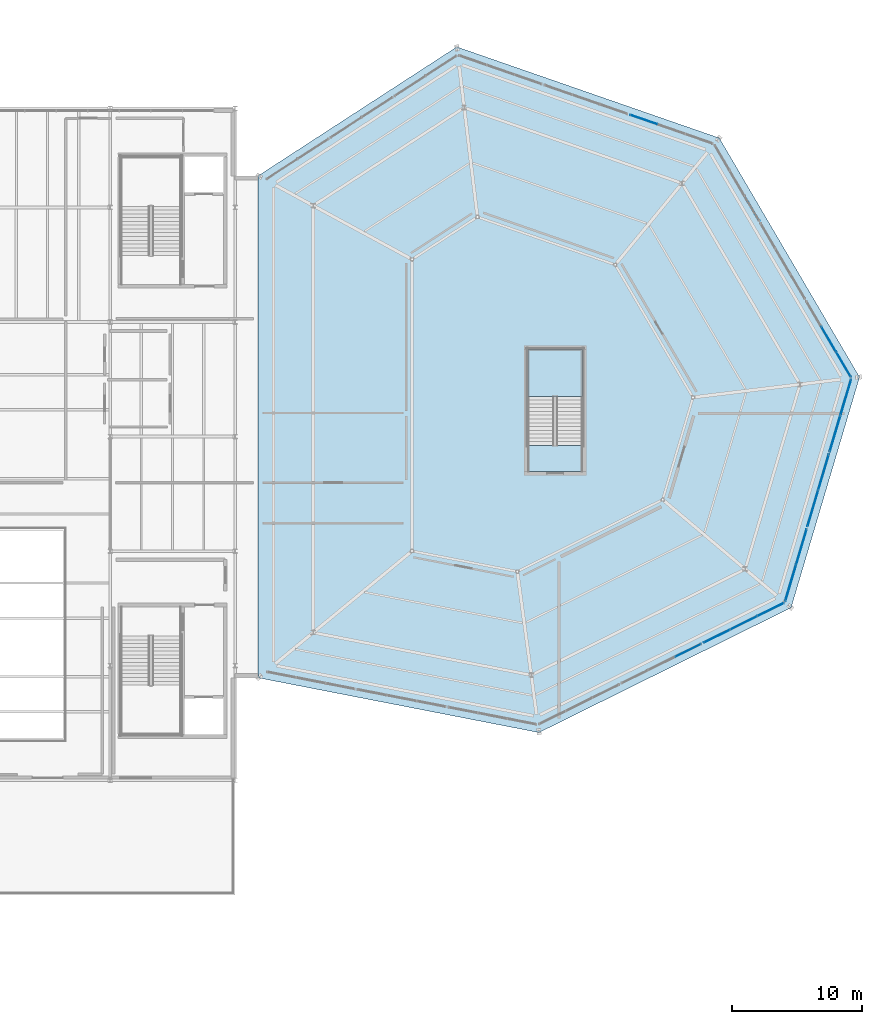
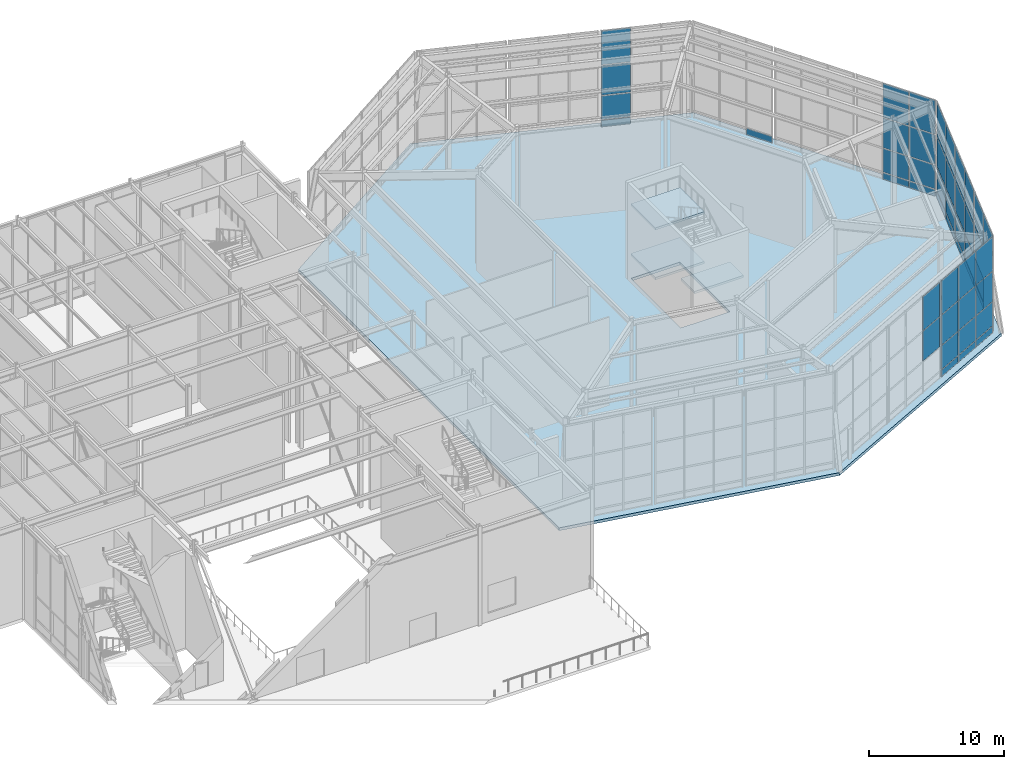
# One storey, part 29 of 48: 51 plates, 4 slabs, 9 elements without a shape of their own.
"""IFC4 building model written with IfcOpenShell, lengths in metres."""

from ifc_helpers import new_model, si_unit, direction, frame, origin, origin_2d, place, context, subcontext, project, spatial, polyline, rectangle, outline, extrude, material, layer, layer_set, type_object, element, aggregate, save


model = new_model("IFC4")

# Units and contexts
model_context = context("Model", 3, precision=1e-05, world=origin(), true_north=direction((0.0, 1.0)))
body_context = subcontext(model_context, "Body", "Model", "MODEL_VIEW")
ifc_project = project(units=[si_unit("LENGTHUNIT", "METRE"), si_unit("AREAUNIT", "SQUARE_METRE"), si_unit("VOLUMEUNIT", "CUBIC_METRE"), si_unit("PLANEANGLEUNIT", "RADIAN"), si_unit("MASSUNIT", "GRAM", prefix="KILO")], contexts=[model_context])

# Site, building, storey
site_placement = place(None, origin())
site = spatial("IfcSite", under=ifc_project, at=site_placement, CompositionType="ELEMENT")
building_placement = place(site_placement, origin())
building = spatial("IfcBuilding", under=site, at=building_placement, Name="Sarnbrook Museum", CompositionType="ELEMENT")
storey_placement = place(building_placement, frame((0.0, 0.0, 19.10009765625)))
storey = spatial("IfcBuildingStorey", under=building, at=storey_placement, Name="L04", CompositionType="ELEMENT", Elevation=19.10009765625)

# Curtain wall, plates
ifc_material_1 = material(Name="Thermally Broken Anodised Aluminium 6063-T6", Category="aluminium")
curtain_wall_type = type_object("IfcCurtainWallType", Name="CurtainWall_CrystalFacet", PredefinedType="NOTDEFINED", material=ifc_material_1)
curtain_wall_1_placement = place(storey_placement, origin())
curtain_wall_1 = element("IfcCurtainWall", 1, at=curtain_wall_1_placement, inside=storey, type_object=curtain_wall_type, Name="Crystal Hall Facet Curtain Wall L04-F2.2", PredefinedType="NOTDEFINED")
ifc_material_2 = material(Name="Double-Glazed Low-Iron Laminated Safety Glass", Category="glass")
ifc_layer_1 = layer(ifc_material_2, 0.031982421875)
ifc_layer_set_1 = layer_set([ifc_layer_1], Name="Double-Glazed Low-Iron Laminated Safety Glass")
plate_type_1 = type_object("IfcPlateType", Name="CW_GlazedPanel_32", PredefinedType="CURTAIN_PANEL", material=ifc_layer_set_1)
plate_1_placement = place(storey_placement, frame((154.009033203125, 66.784423828125, 4.224853515625), z_axis=(0.443729053882, -0.896160993762, 0.0), x_axis=(0.896160993762, 0.443729053882, 0.0)))
plate_1 = element("IfcPlate", 2, at=plate_1_placement, type_object=plate_type_1, Name="Crystal Hall Facet Curtain Wall L04-F2.2 Glazed Panel 3-3", PredefinedType="CURTAIN_PANEL", context=body_context, shape_type="SweptSolid", body=[
    extrude(rectangle(XDim=2.223388671875, YDim=2.679931640625, at=origin_2d()), origin(), (0.0, 0.0, 1.0), 0.031982421875),
])
plate_2_placement = place(storey_placement, frame((154.009033203125, 66.784423828125, 7.169921875), z_axis=(0.443729053882, -0.896160993762, 0.0), x_axis=(0.896160993762, 0.443729053882, 0.0)))
plate_2 = element("IfcPlate", 3, at=plate_2_placement, type_object=plate_type_1, Name="Crystal Hall Facet Curtain Wall L04-F2.2 Glazed Panel 3-4", PredefinedType="CURTAIN_PANEL", context=body_context, shape_type="SweptSolid", body=[
    extrude(rectangle(XDim=2.223388671875, YDim=3.070068359375, at=origin_2d()), origin(), (0.0, 0.0, 1.0), 0.031982421875),
])
aggregate(curtain_wall_1, [plate_1, plate_2])

curtain_wall_2_placement = place(storey_placement, origin())
curtain_wall_2 = element("IfcCurtainWall", 4, at=curtain_wall_2_placement, inside=storey, type_object=curtain_wall_type, Name="Crystal Hall Facet Curtain Wall L04-F2.3", PredefinedType="NOTDEFINED")
plate_3_placement = place(storey_placement, frame((156.212158203125, 67.875244140625, 1.75), z_axis=(0.443729053882, -0.896160993762, 0.0), x_axis=(0.896160993762, 0.443729053882, 0.0)))
plate_3 = element("IfcPlate", 5, at=plate_3_placement, type_object=plate_type_1, Name="Crystal Hall Facet Curtain Wall L04-F2.3 Glazed Panel 1-2", PredefinedType="CURTAIN_PANEL", context=body_context, shape_type="SweptSolid", body=[
    extrude(rectangle(XDim=2.223388671875, YDim=2.1298828125, at=origin_2d()), origin(), (0.0, 0.0, 1.0), 0.031982421875),
])
plate_4_placement = place(storey_placement, frame((156.212158203125, 67.875244140625, 4.224853515625), z_axis=(0.443729053882, -0.896160993762, 0.0), x_axis=(0.896160993762, 0.443729053882, 0.0)))
plate_4 = element("IfcPlate", 6, at=plate_4_placement, type_object=plate_type_1, Name="Crystal Hall Facet Curtain Wall L04-F2.3 Glazed Panel 1-3", PredefinedType="CURTAIN_PANEL", context=body_context, shape_type="SweptSolid", body=[
    extrude(rectangle(XDim=2.223388671875, YDim=2.679931640625, at=origin_2d()), origin(), (0.0, 0.0, 1.0), 0.031982421875),
])
plate_5_placement = place(storey_placement, frame((156.212158203125, 67.875244140625, 7.169921875), z_axis=(0.443729053882, -0.896160993762, 0.0), x_axis=(0.896160993762, 0.443729053882, 0.0)))
plate_5 = element("IfcPlate", 7, at=plate_5_placement, type_object=plate_type_1, Name="Crystal Hall Facet Curtain Wall L04-F2.3 Glazed Panel 1-4", PredefinedType="CURTAIN_PANEL", context=body_context, shape_type="SweptSolid", body=[
    extrude(rectangle(XDim=2.223388671875, YDim=3.070068359375, at=origin_2d()), origin(), (0.0, 0.0, 1.0), 0.031982421875),
])
plate_6_placement = place(storey_placement, frame((158.27197265625, 68.89501953125, 1.75), z_axis=(0.443729053882, -0.896160993762, 0.0), x_axis=(0.896160993762, 0.443729053882, 0.0)))
plate_6 = element("IfcPlate", 8, at=plate_6_placement, type_object=plate_type_1, Name="Crystal Hall Facet Curtain Wall L04-F2.3 Glazed Panel 2-2", PredefinedType="CURTAIN_PANEL", context=body_context, shape_type="SweptSolid", body=[
    extrude(rectangle(XDim=2.223388671875, YDim=2.1298828125, at=origin_2d()), origin(), (0.0, 0.0, 1.0), 0.031982421875),
])
plate_7_placement = place(storey_placement, frame((158.27197265625, 68.89501953125, 4.224853515625), z_axis=(0.443729053882, -0.896160993762, 0.0), x_axis=(0.896160993762, 0.443729053882, 0.0)))
plate_7 = element("IfcPlate", 9, at=plate_7_placement, type_object=plate_type_1, Name="Crystal Hall Facet Curtain Wall L04-F2.3 Glazed Panel 2-3", PredefinedType="CURTAIN_PANEL", context=body_context, shape_type="SweptSolid", body=[
    extrude(rectangle(XDim=2.223388671875, YDim=2.679931640625, at=origin_2d()), origin(), (0.0, 0.0, 1.0), 0.031982421875),
])
plate_8_placement = place(storey_placement, frame((158.27197265625, 68.89501953125, 7.169921875), z_axis=(0.443729053882, -0.896160993762, 0.0), x_axis=(0.896160993762, 0.443729053882, 0.0)))
plate_8 = element("IfcPlate", 10, at=plate_8_placement, type_object=plate_type_1, Name="Crystal Hall Facet Curtain Wall L04-F2.3 Glazed Panel 2-4", PredefinedType="CURTAIN_PANEL", context=body_context, shape_type="SweptSolid", body=[
    extrude(rectangle(XDim=2.223388671875, YDim=3.070068359375, at=origin_2d()), origin(), (0.0, 0.0, 1.0), 0.031982421875),
])
plate_9_placement = place(storey_placement, frame((160.33154296875, 69.914794921875, 1.75), z_axis=(0.443729053882, -0.896160993762, 0.0), x_axis=(0.896160993762, 0.443729053882, 0.0)))
plate_9 = element("IfcPlate", 11, at=plate_9_placement, type_object=plate_type_1, Name="Crystal Hall Facet Curtain Wall L04-F2.3 Glazed Panel 3-2", PredefinedType="CURTAIN_PANEL", context=body_context, shape_type="SweptSolid", body=[
    extrude(rectangle(XDim=2.223388671875, YDim=2.1298828125, at=origin_2d()), origin(), (0.0, 0.0, 1.0), 0.031982421875),
])
plate_10_placement = place(storey_placement, frame((160.33154296875, 69.914794921875, 4.224853515625), z_axis=(0.443729053882, -0.896160993762, 0.0), x_axis=(0.896160993762, 0.443729053882, 0.0)))
plate_10 = element("IfcPlate", 12, at=plate_10_placement, type_object=plate_type_1, Name="Crystal Hall Facet Curtain Wall L04-F2.3 Glazed Panel 3-3", PredefinedType="CURTAIN_PANEL", context=body_context, shape_type="SweptSolid", body=[
    extrude(rectangle(XDim=2.223388671875, YDim=2.679931640625, at=origin_2d()), origin(), (0.0, 0.0, 1.0), 0.031982421875),
])
plate_11_placement = place(storey_placement, frame((160.33154296875, 69.914794921875, 7.169921875), z_axis=(0.443729053882, -0.896160993762, 0.0), x_axis=(0.896160993762, 0.443729053882, 0.0)))
plate_11 = element("IfcPlate", 13, at=plate_11_placement, type_object=plate_type_1, Name="Crystal Hall Facet Curtain Wall L04-F2.3 Glazed Panel 3-4", PredefinedType="CURTAIN_PANEL", context=body_context, shape_type="SweptSolid", body=[
    extrude(rectangle(XDim=2.223388671875, YDim=3.070068359375, at=origin_2d()), origin(), (0.0, 0.0, 1.0), 0.031982421875),
])

curtain_wall_3_placement = place(storey_placement, origin())
curtain_wall_3 = element("IfcCurtainWall", 14, at=curtain_wall_3_placement, inside=storey, type_object=curtain_wall_type, Name="Crystal Hall Facet Curtain Wall L04-F3.1", PredefinedType="NOTDEFINED")
plate_12_placement = place(storey_placement, frame((161.86669921875, 71.93017578125, 1.75), z_axis=(0.958647221782, -0.284597090935, 0.0), x_axis=(0.284597090935, 0.958647221782, 0.0)))
plate_12 = element("IfcPlate", 15, at=plate_12_placement, type_object=plate_type_1, Name="Crystal Hall Facet Curtain Wall L04-F3.1 Glazed Panel 1-2", PredefinedType="CURTAIN_PANEL", context=body_context, shape_type="SweptSolid", body=[
    extrude(rectangle(XDim=2.841796875, YDim=2.1298828125, at=origin_2d()), origin(), (0.0, 0.0, 1.0), 0.031982421875),
])
plate_13_placement = place(storey_placement, frame((161.86669921875, 71.93017578125, 4.224853515625), z_axis=(0.958647221782, -0.284597090935, 0.0), x_axis=(0.284597090935, 0.958647221782, 0.0)))
plate_13 = element("IfcPlate", 16, at=plate_13_placement, type_object=plate_type_1, Name="Crystal Hall Facet Curtain Wall L04-F3.1 Glazed Panel 1-3", PredefinedType="CURTAIN_PANEL", context=body_context, shape_type="SweptSolid", body=[
    extrude(rectangle(XDim=2.841796875, YDim=2.679931640625, at=origin_2d()), origin(), (0.0, 0.0, 1.0), 0.031982421875),
])
plate_14_placement = place(storey_placement, frame((161.86669921875, 71.93017578125, 7.169921875), z_axis=(0.958647221782, -0.284597090935, 0.0), x_axis=(0.284597090935, 0.958647221782, 0.0)))
plate_14 = element("IfcPlate", 17, at=plate_14_placement, type_object=plate_type_1, Name="Crystal Hall Facet Curtain Wall L04-F3.1 Glazed Panel 1-4", PredefinedType="CURTAIN_PANEL", context=body_context, shape_type="SweptSolid", body=[
    extrude(rectangle(XDim=2.841796875, YDim=3.070068359375, at=origin_2d()), origin(), (0.0, 0.0, 1.0), 0.031982421875),
])
plate_15_placement = place(storey_placement, frame((162.697021484375, 74.726318359375, 1.75), z_axis=(0.958647221782, -0.284597090935, 0.0), x_axis=(0.284597090935, 0.958647221782, 0.0)))
plate_15 = element("IfcPlate", 18, at=plate_15_placement, type_object=plate_type_1, Name="Crystal Hall Facet Curtain Wall L04-F3.1 Glazed Panel 2-2", PredefinedType="CURTAIN_PANEL", context=body_context, shape_type="SweptSolid", body=[
    extrude(rectangle(XDim=2.841796875, YDim=2.1298828125, at=origin_2d()), origin(), (0.0, 0.0, 1.0), 0.031982421875),
])
plate_16_placement = place(storey_placement, frame((162.697021484375, 74.726318359375, 4.224853515625), z_axis=(0.958647221782, -0.284597090935, 0.0), x_axis=(0.284597090935, 0.958647221782, 0.0)))
plate_16 = element("IfcPlate", 19, at=plate_16_placement, type_object=plate_type_1, Name="Crystal Hall Facet Curtain Wall L04-F3.1 Glazed Panel 2-3", PredefinedType="CURTAIN_PANEL", context=body_context, shape_type="SweptSolid", body=[
    extrude(rectangle(XDim=2.841796875, YDim=2.679931640625, at=origin_2d()), origin(), (0.0, 0.0, 1.0), 0.031982421875),
])
plate_17_placement = place(storey_placement, frame((162.697021484375, 74.726318359375, 7.169921875), z_axis=(0.958647221782, -0.284597090935, 0.0), x_axis=(0.284597090935, 0.958647221782, 0.0)))
plate_17 = element("IfcPlate", 20, at=plate_17_placement, type_object=plate_type_1, Name="Crystal Hall Facet Curtain Wall L04-F3.1 Glazed Panel 2-4", PredefinedType="CURTAIN_PANEL", context=body_context, shape_type="SweptSolid", body=[
    extrude(rectangle(XDim=2.841796875, YDim=3.070068359375, at=origin_2d()), origin(), (0.0, 0.0, 1.0), 0.031982421875),
])

curtain_wall_4_placement = place(storey_placement, origin())
curtain_wall_4 = element("IfcCurtainWall", 21, at=curtain_wall_4_placement, inside=storey, type_object=curtain_wall_type, Name="Crystal Hall Facet Curtain Wall L04-F3.2", PredefinedType="NOTDEFINED")
plate_18_placement = place(storey_placement, frame((163.572509765625, 77.676025390625, 1.75), z_axis=(0.958647221782, -0.284597090935, 0.0), x_axis=(0.284597090935, 0.958647221782, 0.0)))
plate_18 = element("IfcPlate", 22, at=plate_18_placement, type_object=plate_type_1, Name="Crystal Hall Facet Curtain Wall L04-F3.2 Glazed Panel 1-2", PredefinedType="CURTAIN_PANEL", context=body_context, shape_type="SweptSolid", body=[
    extrude(rectangle(XDim=2.841796875, YDim=2.1298828125, at=origin_2d()), origin(), (0.0, 0.0, 1.0), 0.031982421875),
])
plate_19_placement = place(storey_placement, frame((163.572509765625, 77.676025390625, 4.224853515625), z_axis=(0.958647221782, -0.284597090935, 0.0), x_axis=(0.284597090935, 0.958647221782, 0.0)))
plate_19 = element("IfcPlate", 23, at=plate_19_placement, type_object=plate_type_1, Name="Crystal Hall Facet Curtain Wall L04-F3.2 Glazed Panel 1-3", PredefinedType="CURTAIN_PANEL", context=body_context, shape_type="SweptSolid", body=[
    extrude(rectangle(XDim=2.841796875, YDim=2.679931640625, at=origin_2d()), origin(), (0.0, 0.0, 1.0), 0.031982421875),
])
plate_20_placement = place(storey_placement, frame((163.572509765625, 77.676025390625, 7.169921875), z_axis=(0.958647221782, -0.284597090935, 0.0), x_axis=(0.284597090935, 0.958647221782, 0.0)))
plate_20 = element("IfcPlate", 24, at=plate_20_placement, type_object=plate_type_1, Name="Crystal Hall Facet Curtain Wall L04-F3.2 Glazed Panel 1-4", PredefinedType="CURTAIN_PANEL", context=body_context, shape_type="SweptSolid", body=[
    extrude(rectangle(XDim=2.841796875, YDim=3.070068359375, at=origin_2d()), origin(), (0.0, 0.0, 1.0), 0.031982421875),
])
plate_21_placement = place(storey_placement, frame((164.40283203125, 80.47216796875, 1.75), z_axis=(0.958647221782, -0.284597090935, 0.0), x_axis=(0.284597090935, 0.958647221782, 0.0)))
plate_21 = element("IfcPlate", 25, at=plate_21_placement, type_object=plate_type_1, Name="Crystal Hall Facet Curtain Wall L04-F3.2 Glazed Panel 2-2", PredefinedType="CURTAIN_PANEL", context=body_context, shape_type="SweptSolid", body=[
    extrude(rectangle(XDim=2.841796875, YDim=2.1298828125, at=origin_2d()), origin(), (0.0, 0.0, 1.0), 0.031982421875),
])
plate_22_placement = place(storey_placement, frame((164.40283203125, 80.47216796875, 4.224853515625), z_axis=(0.958647221782, -0.284597090935, 0.0), x_axis=(0.284597090935, 0.958647221782, 0.0)))
plate_22 = element("IfcPlate", 26, at=plate_22_placement, type_object=plate_type_1, Name="Crystal Hall Facet Curtain Wall L04-F3.2 Glazed Panel 2-3", PredefinedType="CURTAIN_PANEL", context=body_context, shape_type="SweptSolid", body=[
    extrude(rectangle(XDim=2.841796875, YDim=2.679931640625, at=origin_2d()), origin(), (0.0, 0.0, 1.0), 0.031982421875),
])
plate_23_placement = place(storey_placement, frame((164.40283203125, 80.47216796875, 7.169921875), z_axis=(0.958647221782, -0.284597090935, 0.0), x_axis=(0.284597090935, 0.958647221782, 0.0)))
plate_23 = element("IfcPlate", 27, at=plate_23_placement, type_object=plate_type_1, Name="Crystal Hall Facet Curtain Wall L04-F3.2 Glazed Panel 2-4", PredefinedType="CURTAIN_PANEL", context=body_context, shape_type="SweptSolid", body=[
    extrude(rectangle(XDim=2.841796875, YDim=3.070068359375, at=origin_2d()), origin(), (0.0, 0.0, 1.0), 0.031982421875),
])

curtain_wall_5_placement = place(storey_placement, origin())
curtain_wall_5 = element("IfcCurtainWall", 28, at=curtain_wall_5_placement, inside=storey, type_object=curtain_wall_type, Name="Crystal Hall Facet Curtain Wall L04-F3.3", PredefinedType="NOTDEFINED")
plate_24_placement = place(storey_placement, frame((165.2783203125, 83.421630859375, 1.75), z_axis=(0.958647221782, -0.284597090935, 0.0), x_axis=(0.284597090935, 0.958647221782, 0.0)))
plate_24 = element("IfcPlate", 29, at=plate_24_placement, type_object=plate_type_1, Name="Crystal Hall Facet Curtain Wall L04-F3.3 Glazed Panel 1-2", PredefinedType="CURTAIN_PANEL", context=body_context, shape_type="SweptSolid", body=[
    extrude(rectangle(XDim=2.841796875, YDim=2.1298828125, at=origin_2d()), origin(), (0.0, 0.0, 1.0), 0.031982421875),
])
plate_25_placement = place(storey_placement, frame((165.2783203125, 83.421630859375, 4.224853515625), z_axis=(0.958647221782, -0.284597090935, 0.0), x_axis=(0.284597090935, 0.958647221782, 0.0)))
plate_25 = element("IfcPlate", 30, at=plate_25_placement, type_object=plate_type_1, Name="Crystal Hall Facet Curtain Wall L04-F3.3 Glazed Panel 1-3", PredefinedType="CURTAIN_PANEL", context=body_context, shape_type="SweptSolid", body=[
    extrude(rectangle(XDim=2.841796875, YDim=2.679931640625, at=origin_2d()), origin(), (0.0, 0.0, 1.0), 0.031982421875),
])
plate_26_placement = place(storey_placement, frame((165.2783203125, 83.421630859375, 7.169921875), z_axis=(0.958647221782, -0.284597090935, 0.0), x_axis=(0.284597090935, 0.958647221782, 0.0)))
plate_26 = element("IfcPlate", 31, at=plate_26_placement, type_object=plate_type_1, Name="Crystal Hall Facet Curtain Wall L04-F3.3 Glazed Panel 1-4", PredefinedType="CURTAIN_PANEL", context=body_context, shape_type="SweptSolid", body=[
    extrude(rectangle(XDim=2.841796875, YDim=3.070068359375, at=origin_2d()), origin(), (0.0, 0.0, 1.0), 0.031982421875),
])
plate_27_placement = place(storey_placement, frame((166.1083984375, 86.218017578125, 1.75), z_axis=(0.958647221782, -0.284597090935, 0.0), x_axis=(0.284597090935, 0.958647221782, 0.0)))
plate_27 = element("IfcPlate", 32, at=plate_27_placement, type_object=plate_type_1, Name="Crystal Hall Facet Curtain Wall L04-F3.3 Glazed Panel 2-2", PredefinedType="CURTAIN_PANEL", context=body_context, shape_type="SweptSolid", body=[
    extrude(rectangle(XDim=2.841796875, YDim=2.1298828125, at=origin_2d()), origin(), (0.0, 0.0, 1.0), 0.031982421875),
])
plate_28_placement = place(storey_placement, frame((166.1083984375, 86.218017578125, 4.224853515625), z_axis=(0.958647221782, -0.284597090935, 0.0), x_axis=(0.284597090935, 0.958647221782, 0.0)))
plate_28 = element("IfcPlate", 33, at=plate_28_placement, type_object=plate_type_1, Name="Crystal Hall Facet Curtain Wall L04-F3.3 Glazed Panel 2-3", PredefinedType="CURTAIN_PANEL", context=body_context, shape_type="SweptSolid", body=[
    extrude(rectangle(XDim=2.841796875, YDim=2.679931640625, at=origin_2d()), origin(), (0.0, 0.0, 1.0), 0.031982421875),
])
plate_29_placement = place(storey_placement, frame((166.1083984375, 86.218017578125, 7.169921875), z_axis=(0.958647221782, -0.284597090935, 0.0), x_axis=(0.284597090935, 0.958647221782, 0.0)))
plate_29 = element("IfcPlate", 34, at=plate_29_placement, type_object=plate_type_1, Name="Crystal Hall Facet Curtain Wall L04-F3.3 Glazed Panel 2-4", PredefinedType="CURTAIN_PANEL", context=body_context, shape_type="SweptSolid", body=[
    extrude(rectangle(XDim=2.841796875, YDim=3.070068359375, at=origin_2d()), origin(), (0.0, 0.0, 1.0), 0.031982421875),
])

curtain_wall_6_placement = place(storey_placement, origin())
curtain_wall_6 = element("IfcCurtainWall", 35, at=curtain_wall_6_placement, inside=storey, type_object=curtain_wall_type, Name="Crystal Hall Facet Curtain Wall L04-F4.1", PredefinedType="NOTDEFINED")
plate_30_placement = place(storey_placement, frame((165.934326171875, 88.73095703125, 1.75), z_axis=(0.862499349925, 0.506058169956, 0.0), x_axis=(-0.506058169956, 0.862499349925, 0.0)))
plate_30 = element("IfcPlate", 36, at=plate_30_placement, type_object=plate_type_1, Name="Crystal Hall Facet Curtain Wall L04-F4.1 Glazed Panel 1-2", PredefinedType="CURTAIN_PANEL", context=body_context, shape_type="SweptSolid", body=[
    extrude(rectangle(XDim=2.186767578125, YDim=2.1298828125, at=origin_2d()), origin(), (0.0, 0.0, 1.0), 0.031982421875),
])
plate_31_placement = place(storey_placement, frame((165.934326171875, 88.73095703125, 4.224853515625), z_axis=(0.862499349925, 0.506058169956, 0.0), x_axis=(-0.506058169956, 0.862499349925, 0.0)))
plate_31 = element("IfcPlate", 37, at=plate_31_placement, type_object=plate_type_1, Name="Crystal Hall Facet Curtain Wall L04-F4.1 Glazed Panel 1-3", PredefinedType="CURTAIN_PANEL", context=body_context, shape_type="SweptSolid", body=[
    extrude(rectangle(XDim=2.186767578125, YDim=2.679931640625, at=origin_2d()), origin(), (0.0, 0.0, 1.0), 0.031982421875),
])
plate_32_placement = place(storey_placement, frame((165.934326171875, 88.73095703125, 7.169921875), z_axis=(0.862499349925, 0.506058169956, 0.0), x_axis=(-0.506058169956, 0.862499349925, 0.0)))
plate_32 = element("IfcPlate", 38, at=plate_32_placement, type_object=plate_type_1, Name="Crystal Hall Facet Curtain Wall L04-F4.1 Glazed Panel 1-4", PredefinedType="CURTAIN_PANEL", context=body_context, shape_type="SweptSolid", body=[
    extrude(rectangle(XDim=2.186767578125, YDim=3.070068359375, at=origin_2d()), origin(), (0.0, 0.0, 1.0), 0.031982421875),
])
plate_33_placement = place(storey_placement, frame((164.789794921875, 90.681640625, 1.75), z_axis=(0.862499349925, 0.506058169956, 0.0), x_axis=(-0.506058169956, 0.862499349925, 0.0)))
plate_33 = element("IfcPlate", 39, at=plate_33_placement, type_object=plate_type_1, Name="Crystal Hall Facet Curtain Wall L04-F4.1 Glazed Panel 2-2", PredefinedType="CURTAIN_PANEL", context=body_context, shape_type="SweptSolid", body=[
    extrude(rectangle(XDim=2.186767578125, YDim=2.1298828125, at=origin_2d()), origin(), (0.0, 0.0, 1.0), 0.031982421875),
])
plate_34_placement = place(storey_placement, frame((164.789794921875, 90.681640625, 4.224853515625), z_axis=(0.862499349925, 0.506058169956, 0.0), x_axis=(-0.506058169956, 0.862499349925, 0.0)))
plate_34 = element("IfcPlate", 40, at=plate_34_placement, type_object=plate_type_1, Name="Crystal Hall Facet Curtain Wall L04-F4.1 Glazed Panel 2-3", PredefinedType="CURTAIN_PANEL", context=body_context, shape_type="SweptSolid", body=[
    extrude(rectangle(XDim=2.186767578125, YDim=2.679931640625, at=origin_2d()), origin(), (0.0, 0.0, 1.0), 0.031982421875),
])
plate_35_placement = place(storey_placement, frame((164.789794921875, 90.681640625, 7.169921875), z_axis=(0.862499349925, 0.506058169956, 0.0), x_axis=(-0.506058169956, 0.862499349925, 0.0)))
plate_35 = element("IfcPlate", 41, at=plate_35_placement, type_object=plate_type_1, Name="Crystal Hall Facet Curtain Wall L04-F4.1 Glazed Panel 2-4", PredefinedType="CURTAIN_PANEL", context=body_context, shape_type="SweptSolid", body=[
    extrude(rectangle(XDim=2.186767578125, YDim=3.070068359375, at=origin_2d()), origin(), (0.0, 0.0, 1.0), 0.031982421875),
])

curtain_wall_7_placement = place(storey_placement, origin())
curtain_wall_7 = element("IfcCurtainWall", 42, at=curtain_wall_7_placement, inside=storey, type_object=curtain_wall_type, Name="Crystal Hall Facet Curtain Wall L04-F5.1", PredefinedType="NOTDEFINED")
plate_36_placement = place(storey_placement, frame((150.586669921875, 107.536376953125, 1.75), z_axis=(0.32801323482, 0.94467312748, 0.0), x_axis=(-0.94467312748, 0.32801323482, 0.0)))
plate_36 = element("IfcPlate", 43, at=plate_36_placement, type_object=plate_type_1, Name="Crystal Hall Facet Curtain Wall L04-F5.1 Glazed Panel 3-2", PredefinedType="CURTAIN_PANEL", context=body_context, shape_type="SweptSolid", body=[
    extrude(rectangle(XDim=2.18798828125, YDim=2.1298828125, at=origin_2d()), origin(), (0.0, 0.0, 1.0), 0.031982421875),
])
plate_37_placement = place(storey_placement, frame((150.586669921875, 107.536376953125, 4.224853515625), z_axis=(0.32801323482, 0.94467312748, 0.0), x_axis=(-0.94467312748, 0.32801323482, 0.0)))
plate_37 = element("IfcPlate", 44, at=plate_37_placement, type_object=plate_type_1, Name="Crystal Hall Facet Curtain Wall L04-F5.1 Glazed Panel 3-3", PredefinedType="CURTAIN_PANEL", context=body_context, shape_type="SweptSolid", body=[
    extrude(rectangle(XDim=2.18798828125, YDim=2.679931640625, at=origin_2d()), origin(), (0.0, 0.0, 1.0), 0.031982421875),
])
plate_38_placement = place(storey_placement, frame((150.586669921875, 107.536376953125, 7.169921875), z_axis=(0.32801323482, 0.94467312748, 0.0), x_axis=(-0.94467312748, 0.32801323482, 0.0)))
plate_38 = element("IfcPlate", 45, at=plate_38_placement, type_object=plate_type_1, Name="Crystal Hall Facet Curtain Wall L04-F5.1 Glazed Panel 3-4", PredefinedType="CURTAIN_PANEL", context=body_context, shape_type="SweptSolid", body=[
    extrude(rectangle(XDim=2.18798828125, YDim=3.070068359375, at=origin_2d()), origin(), (0.0, 0.0, 1.0), 0.031982421875),
])

# Plate
ifc_material_3 = material(Name="Patinated Architectural Bronze")
ifc_layer_2 = layer(ifc_material_3, 0.044921875)
ifc_layer_set_2 = layer_set([ifc_layer_2], Name="Patinated Architectural Bronze")
plate_type_2 = type_object("IfcPlateType", Name="CW_SpandrelPanel_45", PredefinedType="CURTAIN_PANEL", material=ifc_layer_set_2)
plate_39_placement = place(storey_placement, frame((156.209228515625, 67.880859375, 0.324951171875), z_axis=(0.443729053882, -0.896160993762, 0.0), x_axis=(0.896160993762, 0.443729053882, 0.0)))
plate_39 = element("IfcPlate", 46, at=plate_39_placement, type_object=plate_type_2, Name="Crystal Hall Facet Curtain Wall L04-F2.3 Spandrel Panel 1-1", PredefinedType="CURTAIN_PANEL", context=body_context, shape_type="SweptSolid", body=[
    extrude(rectangle(XDim=2.223388671875, YDim=0.580078125, at=origin_2d()), origin(), (0.0, 0.0, 1.0), 0.044921875),
])

plate_40_placement = place(storey_placement, frame((158.26904296875, 68.900634765625, 0.324951171875), z_axis=(0.443729053882, -0.896160993762, 0.0), x_axis=(0.896160993762, 0.443729053882, 0.0)))
plate_40 = element("IfcPlate", 47, at=plate_40_placement, type_object=plate_type_2, Name="Crystal Hall Facet Curtain Wall L04-F2.3 Spandrel Panel 2-1", PredefinedType="CURTAIN_PANEL", context=body_context, shape_type="SweptSolid", body=[
    extrude(rectangle(XDim=2.223388671875, YDim=0.580078125, at=origin_2d()), origin(), (0.0, 0.0, 1.0), 0.044921875),
])

plate_41_placement = place(storey_placement, frame((160.32861328125, 69.92041015625, 0.324951171875), z_axis=(0.443729053882, -0.896160993762, 0.0), x_axis=(0.896160993762, 0.443729053882, 0.0)))
plate_41 = element("IfcPlate", 48, at=plate_41_placement, type_object=plate_type_2, Name="Crystal Hall Facet Curtain Wall L04-F2.3 Spandrel Panel 3-1", PredefinedType="CURTAIN_PANEL", context=body_context, shape_type="SweptSolid", body=[
    extrude(rectangle(XDim=2.223388671875, YDim=0.580078125, at=origin_2d()), origin(), (0.0, 0.0, 1.0), 0.044921875),
])

aggregate(curtain_wall_2, [plate_39, plate_3, plate_4, plate_5, plate_40, plate_6, plate_7, plate_8, plate_41, plate_9, plate_10, plate_11])

plate_42_placement = place(storey_placement, frame((161.860595703125, 71.931884765625, 0.324951171875), z_axis=(0.958647221782, -0.284597090935, 0.0), x_axis=(0.284597090935, 0.958647221782, 0.0)))
plate_42 = element("IfcPlate", 49, at=plate_42_placement, type_object=plate_type_2, Name="Crystal Hall Facet Curtain Wall L04-F3.1 Spandrel Panel 1-1", PredefinedType="CURTAIN_PANEL", context=body_context, shape_type="SweptSolid", body=[
    extrude(rectangle(XDim=2.841796875, YDim=0.580078125, at=origin_2d()), origin(), (0.0, 0.0, 1.0), 0.044921875),
])

plate_43_placement = place(storey_placement, frame((162.69091796875, 74.72802734375, 0.324951171875), z_axis=(0.958647221782, -0.284597090935, 0.0), x_axis=(0.284597090935, 0.958647221782, 0.0)))
plate_43 = element("IfcPlate", 50, at=plate_43_placement, type_object=plate_type_2, Name="Crystal Hall Facet Curtain Wall L04-F3.1 Spandrel Panel 2-1", PredefinedType="CURTAIN_PANEL", context=body_context, shape_type="SweptSolid", body=[
    extrude(rectangle(XDim=2.841796875, YDim=0.580078125, at=origin_2d()), origin(), (0.0, 0.0, 1.0), 0.044921875),
])

aggregate(curtain_wall_3, [plate_42, plate_12, plate_13, plate_14, plate_43, plate_15, plate_16, plate_17])

plate_44_placement = place(storey_placement, frame((163.56640625, 77.677734375, 0.324951171875), z_axis=(0.958647221782, -0.284597090935, 0.0), x_axis=(0.284597090935, 0.958647221782, 0.0)))
plate_44 = element("IfcPlate", 51, at=plate_44_placement, type_object=plate_type_2, Name="Crystal Hall Facet Curtain Wall L04-F3.2 Spandrel Panel 1-1", PredefinedType="CURTAIN_PANEL", context=body_context, shape_type="SweptSolid", body=[
    extrude(rectangle(XDim=2.841796875, YDim=0.580078125, at=origin_2d()), origin(), (0.0, 0.0, 1.0), 0.044921875),
])

plate_45_placement = place(storey_placement, frame((164.396728515625, 80.473876953125, 0.324951171875), z_axis=(0.958647221782, -0.284597090935, 0.0), x_axis=(0.284597090935, 0.958647221782, 0.0)))
plate_45 = element("IfcPlate", 52, at=plate_45_placement, type_object=plate_type_2, Name="Crystal Hall Facet Curtain Wall L04-F3.2 Spandrel Panel 2-1", PredefinedType="CURTAIN_PANEL", context=body_context, shape_type="SweptSolid", body=[
    extrude(rectangle(XDim=2.841796875, YDim=0.580078125, at=origin_2d()), origin(), (0.0, 0.0, 1.0), 0.044921875),
])

aggregate(curtain_wall_4, [plate_44, plate_18, plate_19, plate_20, plate_45, plate_21, plate_22, plate_23])

plate_46_placement = place(storey_placement, frame((165.272216796875, 83.42333984375, 0.324951171875), z_axis=(0.958647221782, -0.284597090935, 0.0), x_axis=(0.284597090935, 0.958647221782, 0.0)))
plate_46 = element("IfcPlate", 53, at=plate_46_placement, type_object=plate_type_2, Name="Crystal Hall Facet Curtain Wall L04-F3.3 Spandrel Panel 1-1", PredefinedType="CURTAIN_PANEL", context=body_context, shape_type="SweptSolid", body=[
    extrude(rectangle(XDim=2.841796875, YDim=0.580078125, at=origin_2d()), origin(), (0.0, 0.0, 1.0), 0.044921875),
])

plate_47_placement = place(storey_placement, frame((166.102294921875, 86.2197265625, 0.324951171875), z_axis=(0.958647221782, -0.284597090935, 0.0), x_axis=(0.284597090935, 0.958647221782, 0.0)))
plate_47 = element("IfcPlate", 54, at=plate_47_placement, type_object=plate_type_2, Name="Crystal Hall Facet Curtain Wall L04-F3.3 Spandrel Panel 2-1", PredefinedType="CURTAIN_PANEL", context=body_context, shape_type="SweptSolid", body=[
    extrude(rectangle(XDim=2.841796875, YDim=0.580078125, at=origin_2d()), origin(), (0.0, 0.0, 1.0), 0.044921875),
])

aggregate(curtain_wall_5, [plate_46, plate_24, plate_25, plate_26, plate_47, plate_27, plate_28, plate_29])

plate_48_placement = place(storey_placement, frame((165.9287109375, 88.7275390625, 0.324951171875), z_axis=(0.862499349925, 0.506058169956, 0.0), x_axis=(-0.506058169956, 0.862499349925, 0.0)))
plate_48 = element("IfcPlate", 55, at=plate_48_placement, type_object=plate_type_2, Name="Crystal Hall Facet Curtain Wall L04-F4.1 Spandrel Panel 1-1", PredefinedType="CURTAIN_PANEL", context=body_context, shape_type="SweptSolid", body=[
    extrude(rectangle(XDim=2.186767578125, YDim=0.580078125, at=origin_2d()), origin(), (0.0, 0.0, 1.0), 0.044921875),
])

plate_49_placement = place(storey_placement, frame((164.7841796875, 90.67822265625, 0.324951171875), z_axis=(0.862499349925, 0.506058169956, 0.0), x_axis=(-0.506058169956, 0.862499349925, 0.0)))
plate_49 = element("IfcPlate", 56, at=plate_49_placement, type_object=plate_type_2, Name="Crystal Hall Facet Curtain Wall L04-F4.1 Spandrel Panel 2-1", PredefinedType="CURTAIN_PANEL", context=body_context, shape_type="SweptSolid", body=[
    extrude(rectangle(XDim=2.186767578125, YDim=0.580078125, at=origin_2d()), origin(), (0.0, 0.0, 1.0), 0.044921875),
])

aggregate(curtain_wall_6, [plate_48, plate_30, plate_31, plate_32, plate_49, plate_33, plate_34, plate_35])

# Curtain wall, plate
curtain_wall_8_placement = place(storey_placement, origin())
curtain_wall_8 = element("IfcCurtainWall", 57, at=curtain_wall_8_placement, inside=storey, type_object=curtain_wall_type, Name="Crystal Hall Facet Curtain Wall L04-F4.3", PredefinedType="NOTDEFINED")
plate_50_placement = place(storey_placement, frame((158.899169921875, 100.70849609375, 0.324951171875), z_axis=(0.862499349925, 0.506058169956, 0.0), x_axis=(-0.506058169956, 0.862499349925, 0.0)))
plate_50 = element("IfcPlate", 58, at=plate_50_placement, type_object=plate_type_2, Name="Crystal Hall Facet Curtain Wall L04-F4.3 Spandrel Panel 1-1", PredefinedType="CURTAIN_PANEL", context=body_context, shape_type="SweptSolid", body=[
    extrude(rectangle(XDim=2.186767578125, YDim=0.580078125, at=origin_2d()), origin(), (0.0, 0.0, 1.0), 0.044921875),
])
aggregate(curtain_wall_8, [plate_50])

# Plate
plate_51_placement = place(storey_placement, frame((150.58447265625, 107.5302734375, 0.324951171875), z_axis=(0.32801323482, 0.94467312748, 0.0), x_axis=(-0.94467312748, 0.32801323482, 0.0)))
plate_51 = element("IfcPlate", 59, at=plate_51_placement, type_object=plate_type_2, Name="Crystal Hall Facet Curtain Wall L04-F5.1 Spandrel Panel 3-1", PredefinedType="CURTAIN_PANEL", context=body_context, shape_type="SweptSolid", body=[
    extrude(rectangle(XDim=2.18798828125, YDim=0.580078125, at=origin_2d()), origin(), (0.0, 0.0, 1.0), 0.044921875),
])

aggregate(curtain_wall_7, [plate_51, plate_36, plate_37, plate_38])

# Slab
ifc_material_4 = material(Name="Concrete N40 (AS 3600, f'c = 40 MPa)", Category="concrete")
ifc_layer_3 = layer(ifc_material_4, 0.260009765625)
ifc_layer_set_3 = layer_set([ifc_layer_3], Name="Concrete N40 (AS 3600, f'c = 40 MPa)")
slab_type_1 = type_object("IfcSlabType", Name="FloorSlab_260", PredefinedType="FLOOR", material=ifc_layer_set_3)
slab_1_placement = place(storey_placement, frame((0.0, 0.0, -0.260009765625)))
element("IfcSlab", 60, at=slab_1_placement, inside=storey, type_object=slab_type_1, Name="V1 Structural Slab L04", PredefinedType="FLOOR", context=body_context, shape_type="SweptSolid", body=[
    extrude(outline(polyline([(136.23828125, 113.135986328125), (156.3984375, 106.1357421875), (167.176513671875, 87.76611328125), (161.916748046875, 70.048828125), (142.550048828125, 60.45947265625), (120.977294921875, 64.664306640625), (120.977294921875, 103.234619140625), (136.23828125, 113.135986328125)]), holes=[polyline([(145.89990234375, 82.5205078125), (141.699951171875, 82.5205078125), (141.699951171875, 89.89990234375), (145.89990234375, 89.89990234375), (145.89990234375, 82.5205078125)])]), origin(), (0.0, 0.0, 1.0), 0.260009765625),
])

# Stair, slabs
stair_type = type_object("IfcStairType", Name="Stair_ST08", PredefinedType="HALF_TURN_STAIR", material=ifc_material_4)
stair_placement = place(storey_placement, origin())
stair = element("IfcStair", 61, at=stair_placement, inside=storey, type_object=stair_type, Name="L04 Exit Stair ST7", PredefinedType="HALF_TURN_STAIR")
ifc_layer_4 = layer(ifc_material_4, 0.199951171875)
ifc_layer_set_4 = layer_set([ifc_layer_4], Name="Concrete N40 (AS 3600, f'c = 40 MPa)")
slab_type_2 = type_object("IfcSlabType", Name="Landing_200", PredefinedType="LANDING", material=ifc_layer_set_4)
slab_2_placement = place(storey_placement, frame((0.0, 0.0, 2.0498046875)))
slab_2 = element("IfcSlab", 62, at=slab_2_placement, type_object=slab_type_2, Name="ST7 landing 1", PredefinedType="LANDING", context=body_context, shape_type="SweptSolid", body=[
    extrude(outline(polyline([(145.89990234375, 86.2900390625), (145.89990234375, 89.89990234375), (141.699951171875, 89.89990234375), (141.699951171875, 86.2900390625), (145.89990234375, 86.2900390625)])), origin(), (0.0, 0.0, 1.0), 0.2001953125),
])
slab_3_placement = place(storey_placement, frame((0.0, 0.0, 4.2998046875)))
slab_3 = element("IfcSlab", 63, at=slab_3_placement, type_object=slab_type_2, Name="ST7 landing 2", PredefinedType="LANDING", context=body_context, shape_type="SweptSolid", body=[
    extrude(outline(polyline([(145.89990234375, 80.5), (145.89990234375, 82.52001953125), (141.699951171875, 82.52001953125), (141.699951171875, 80.5), (145.89990234375, 80.5)])), origin(), (0.0, 0.0, 1.0), 0.2001953125),
])
slab_4_placement = place(storey_placement, frame((0.0, 0.0, 6.5498046875)))
slab_4 = element("IfcSlab", 64, at=slab_4_placement, type_object=slab_type_2, Name="ST7 landing 3", PredefinedType="LANDING", context=body_context, shape_type="SweptSolid", body=[
    extrude(outline(polyline([(145.89990234375, 86.2900390625), (145.89990234375, 89.89990234375), (141.699951171875, 89.89990234375), (141.699951171875, 86.2900390625), (145.89990234375, 86.2900390625)])), origin(), (0.0, 0.0, 1.0), 0.2001953125),
])
aggregate(stair, [slab_2, slab_3, slab_4])

save(model, "model.ifc")
